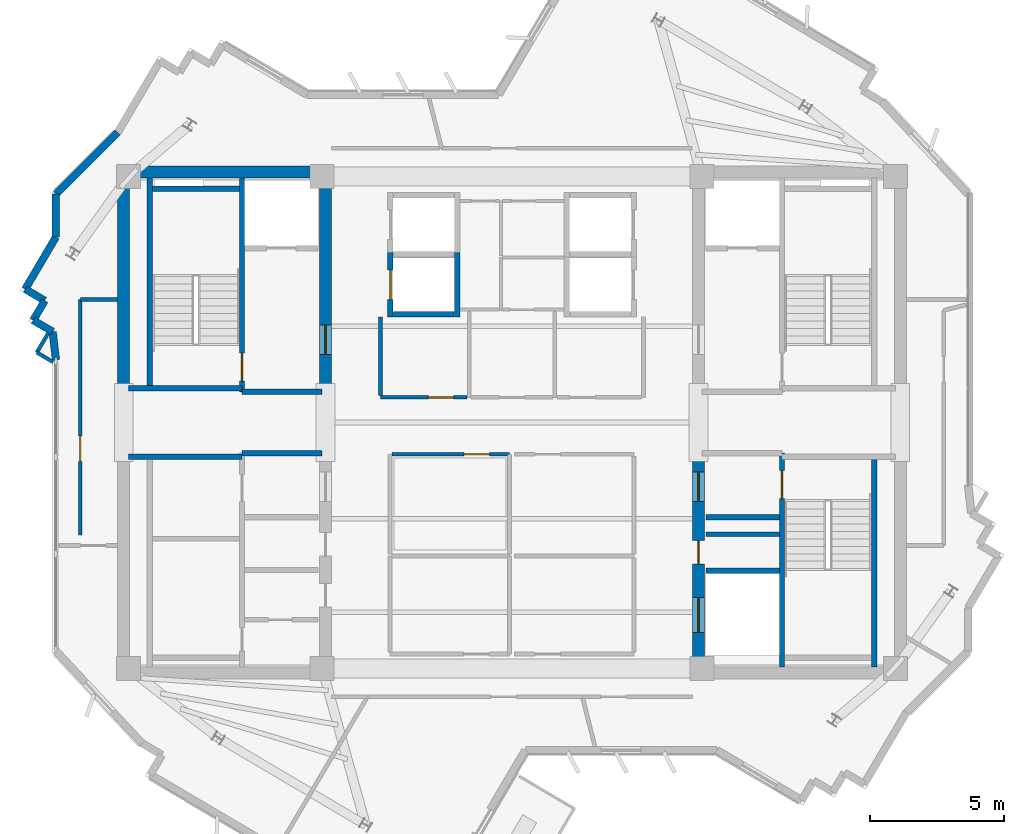
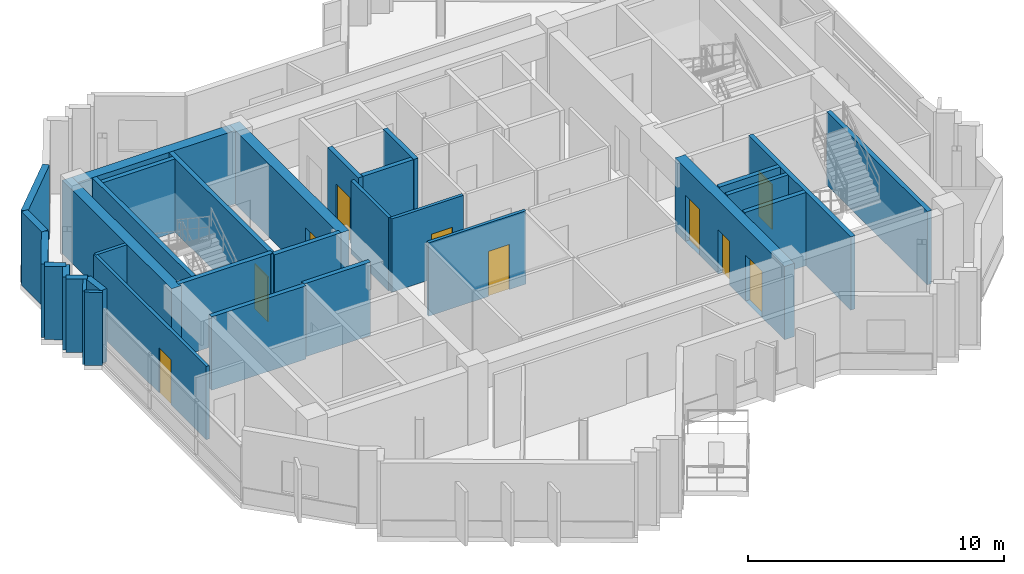
# One storey, part 5 of 10: 33 walls, 10 doors, 10 openings.
"""IFC4 building model written with IfcOpenShell, lengths in metres."""

from ifc_helpers import new_model, si_unit, direction, frame, frame_2d, origin, place, context, subcontext, project, spatial, rectangle, extrude, source, transform, mapped, material, layer, layer_set, type_object, element, fill, save


model = new_model("IFC4")

# Units and contexts
model_context = context("Model", 3, precision=1e-05, world=origin(), true_north=direction((0.0, 1.0)))
body_context = subcontext(model_context, "Body", "Model", "MODEL_VIEW")
ifc_project = project(units=[si_unit("LENGTHUNIT", "METRE"), si_unit("AREAUNIT", "SQUARE_METRE"), si_unit("VOLUMEUNIT", "CUBIC_METRE"), si_unit("PLANEANGLEUNIT", "RADIAN"), si_unit("MASSUNIT", "GRAM", prefix="KILO")], contexts=[model_context])

# Site, building, storey
site_placement = place(None, origin())
site = spatial("IfcSite", under=ifc_project, at=site_placement, CompositionType="ELEMENT")
building_placement = place(site_placement, origin())
building = spatial("IfcBuilding", under=site, at=building_placement, Name="Zahravan Cultural Tower", CompositionType="ELEMENT")
storey_placement = place(building_placement, frame((0.0, 0.0, 346.050048828125)))
storey = spatial("IfcBuildingStorey", under=building, at=storey_placement, Name="L84", CompositionType="ELEMENT", Elevation=346.050048828125)

# Wall, opening, door
ifc_material_1 = material(Name="Concrete C50/60", Category="concrete")
ifc_layer_1 = layer(ifc_material_1, 0.449951171875)
ifc_layer_set_1 = layer_set([ifc_layer_1], Name="Concrete C50/60")
wall_type_1 = type_object("IfcWallType", Name="CW-SHEAR-450-C50", PredefinedType="SHEAR", material=ifc_layer_set_1)
wall_1_placement = place(storey_placement, frame((29.02490234375, 28.050048828125, 0.0), z_axis=(0.0, 0.0, 1.0), x_axis=(0.0, 1.0, 0.0)))
wall_1 = element("IfcWall", 1, at=wall_1_placement, inside=storey, type_object=wall_type_1, Name="L84 Core Shear Wall CW-W-EN-L84", PredefinedType="SHEAR", context=body_context, shape_type="SweptSolid", body=[
    extrude(rectangle(XDim=8.550048828125, YDim=0.449951171875, at=frame_2d((4.27490234375, 0.0))), origin(), (0.0, 0.0, 1.0), 3.5),
])
opening_1_placement = place(wall_1_placement, frame((1.5, 0.0, 0.0)))
opening_1 = element("IfcOpeningElement", 2, at=opening_1_placement, cuts=wall_1, Name="Opening D-L84-06", PredefinedType="OPENING", context=body_context, shape_type="SweptSolid", body=[
    extrude(rectangle(XDim=1.10009765625, YDim=2.199951171875, at=frame_2d((0.550048828125, 1.10009765625))), frame((0.0, 0.23486328125, 0.0), z_axis=(0.0, -1.0, 0.0), x_axis=(1.0, 0.0, 0.0)), (0.0, 0.0, 1.0), 0.469970703125),
])
ifc_material_2 = material(Name="Steel ASTM A572 Grade 50", Category="steel")
door_type_1 = type_object("IfcDoorType", Name="DR-LOBBY-1100", OperationType="NOTDEFINED", PredefinedType="DOOR", material=ifc_material_2)
shared_shape_1 = source(origin(), body_context, "Body", "SweptSolid", [
    extrude(rectangle(XDim=1.10009765625, YDim=2.199951171875, at=frame_2d((0.550048828125, 1.10009765625))), frame((0.0, 0.02490234375, 0.0), z_axis=(0.0, -1.0, 0.0), x_axis=(1.0, 0.0, 0.0)), (0.0, 0.0, 1.0), 0.050048828125),
])
door_1_placement = place(opening_1_placement, origin())
door_1 = element("IfcDoor", 3, at=door_1_placement, inside=storey, type_object=door_type_1, Name="L84 Door D-L84-06", OperationType="SINGLE_SWING_RIGHT", OverallHeight=2.199951171875, OverallWidth=1.10009765625, PredefinedType="DOOR", context=body_context, shape_type="MappedRepresentation", body=[
    mapped(shared_shape_1, transform((0.0, 0.0, 0.0), x_axis=(1.0, 0.0, 0.0), y_axis=(0.0, 1.0, 0.0), z_axis=(0.0, 0.0, 1.0), scale=1.0)),
])
fill(opening_1, door_1)

# Wall, openings, doors
wall_2_placement = place(storey_placement, frame((42.97509765625, 17.39990234375, 0.0), z_axis=(0.0, 0.0, 1.0), x_axis=(0.0, 1.0, 0.0)))
wall_2 = element("IfcWall", 4, at=wall_2_placement, inside=storey, type_object=wall_type_1, Name="L84 Core Shear Wall CW-E-WS-L84", PredefinedType="SHEAR", context=body_context, shape_type="SweptSolid", body=[
    extrude(rectangle(XDim=8.550048828125, YDim=0.449951171875, at=frame_2d((4.27490234375, 0.0))), origin(), (0.0, 0.0, 1.0), 3.5),
])
opening_2_placement = place(wall_2_placement, frame((6.64990234375, 0.0, 0.0)))
opening_2 = element("IfcOpeningElement", 5, at=opening_2_placement, cuts=wall_2, Name="Opening D-L84-09", PredefinedType="OPENING", context=body_context, shape_type="SweptSolid", body=[
    extrude(rectangle(XDim=1.10009765625, YDim=2.199951171875, at=frame_2d((0.550048828125, 1.10009765625))), frame((0.0, 0.23486328125, 0.0), z_axis=(0.0, -1.0, 0.0), x_axis=(1.0, 0.0, 0.0)), (0.0, 0.0, 1.0), 0.469970703125),
])
opening_3_placement = place(wall_2_placement, frame((1.75, 0.0, 0.0)))
opening_3 = element("IfcOpeningElement", 6, at=opening_3_placement, cuts=wall_2, Name="Opening LD-L84-03", PredefinedType="OPENING", context=body_context, shape_type="SweptSolid", body=[
    extrude(rectangle(XDim=1.300048828125, YDim=2.199951171875, at=frame_2d((0.64990234375, 1.10009765625))), frame((0.0, 0.23486328125, 0.0), z_axis=(0.0, -1.0, 0.0), x_axis=(1.0, 0.0, 0.0)), (0.0, 0.0, 1.0), 0.469970703125),
])
opening_4_placement = place(wall_2_placement, frame((4.300048828125, 0.0, 0.0)))
opening_4 = element("IfcOpeningElement", 7, at=opening_4_placement, cuts=wall_2, Name="Opening D-L84-13", PredefinedType="OPENING", context=body_context, shape_type="SweptSolid", body=[
    extrude(rectangle(XDim=0.8798828125, YDim=2.10009765625, at=frame_2d((0.43994140625, 1.050048828125))), frame((0.0, 0.23486328125, 0.0), z_axis=(0.0, -1.0, 0.0), x_axis=(1.0, 0.0, 0.0)), (0.0, 0.0, 1.0), 0.469970703125),
])
door_2_placement = place(opening_2_placement, origin())
door_2 = element("IfcDoor", 8, at=door_2_placement, inside=storey, type_object=door_type_1, Name="L84 Door D-L84-09", OperationType="SINGLE_SWING_LEFT", OverallHeight=2.199951171875, OverallWidth=1.10009765625, PredefinedType="DOOR", context=body_context, shape_type="MappedRepresentation", body=[
    mapped(shared_shape_1, transform((0.0, 0.0, 0.0), x_axis=(1.0, 0.0, 0.0), y_axis=(0.0, 1.0, 0.0), z_axis=(0.0, 0.0, 1.0), scale=1.0)),
])
fill(opening_2, door_2)
door_type_2 = type_object("IfcDoorType", Name="DR-LIFT-1300", OperationType="DOUBLE_DOOR_SLIDING", PredefinedType="DOOR", material=ifc_material_2)
shared_shape_2 = source(origin(), body_context, "Body", "SweptSolid", [
    extrude(rectangle(XDim=1.300048828125, YDim=2.199951171875, at=frame_2d((0.64990234375, 1.10009765625))), frame((0.0, 0.02490234375, 0.0), z_axis=(0.0, -1.0, 0.0), x_axis=(1.0, 0.0, 0.0)), (0.0, 0.0, 1.0), 0.050048828125),
])
door_3_placement = place(opening_3_placement, origin())
door_3 = element("IfcDoor", 9, at=door_3_placement, inside=storey, type_object=door_type_2, Name="L84 Door LD-L84-03", OperationType="DOUBLE_DOOR_SLIDING", OverallHeight=2.199951171875, OverallWidth=1.300048828125, PredefinedType="DOOR", context=body_context, shape_type="MappedRepresentation", body=[
    mapped(shared_shape_2, transform((0.0, 0.0, 0.0), x_axis=(1.0, 0.0, 0.0), y_axis=(0.0, 1.0, 0.0), z_axis=(0.0, 0.0, 1.0), scale=1.0)),
])
fill(opening_3, door_3)
door_type_3 = type_object("IfcDoorType", Name="DR-SVC-880", OperationType="NOTDEFINED", PredefinedType="DOOR", material=ifc_material_2)
shared_shape_3 = source(origin(), body_context, "Body", "SweptSolid", [
    extrude(rectangle(XDim=0.8798828125, YDim=2.10009765625, at=frame_2d((0.43994140625, 1.050048828125))), frame((0.0, 0.02490234375, 0.0), z_axis=(0.0, -1.0, 0.0), x_axis=(1.0, 0.0, 0.0)), (0.0, 0.0, 1.0), 0.050048828125),
])
door_4_placement = place(opening_4_placement, origin())
door_4 = element("IfcDoor", 10, at=door_4_placement, inside=storey, type_object=door_type_3, Name="L84 Door D-L84-13", OperationType="SINGLE_SWING_LEFT", OverallHeight=2.10009765625, OverallWidth=0.8798828125, PredefinedType="DOOR", context=body_context, shape_type="MappedRepresentation", body=[
    mapped(shared_shape_3, transform((0.0, 0.0, 0.0), x_axis=(1.0, 0.0, 0.0), y_axis=(0.0, 1.0, 0.0), z_axis=(0.0, 0.0, 1.0), scale=1.0)),
])
fill(opening_4, door_4)

# Wall, opening, door
ifc_material_3 = material(Name="Gypsum plasterboard partition")
ifc_layer_2 = layer(ifc_material_3, 0.139892578125)
ifc_layer_set_2 = layer_set([ifc_layer_2], Name="Gypsum plasterboard partition")
wall_type_2 = type_object("IfcWallType", Name="W-PART-140", PredefinedType="PARTITIONING", material=ifc_layer_set_2)
wall_3_placement = place(storey_placement, frame((34.324951171875, 27.93994140625, 0.0), z_axis=(0.0, 0.0, 1.0), x_axis=(-1.0, 0.0, 0.0)))
wall_3 = element("IfcWall", 11, at=wall_3_placement, inside=storey, type_object=wall_type_2, Name="L84 Interior Wall 054", PredefinedType="PARTITIONING", context=body_context, shape_type="SweptSolid", body=[
    extrude(rectangle(XDim=3.244873046875, YDim=0.139892578125, at=frame_2d((1.62255859375, 0.0))), origin(), (0.0, 0.0, 1.0), 3.5),
])
opening_5_placement = place(wall_3_placement, frame((0.5048828125, 0.0, 0.0)))
opening_5 = element("IfcOpeningElement", 12, at=opening_5_placement, cuts=wall_3, Name="Opening D-L84-20", PredefinedType="OPENING", context=body_context, shape_type="SweptSolid", body=[
    extrude(rectangle(XDim=0.949951171875, YDim=2.14990234375, at=frame_2d((0.47509765625, 1.074951171875))), frame((0.0, 0.079833984375, 0.0), z_axis=(0.0, -1.0, 0.0), x_axis=(1.0, 0.0, 0.0)), (0.0, 0.0, 1.0), 0.159912109375),
])
ifc_material_4 = material(Name="Anodised bronze-aluminium mullion", Category="aluminium")
door_type_4 = type_object("IfcDoorType", Name="DR-ROOM-950", OperationType="NOTDEFINED", PredefinedType="DOOR", material=ifc_material_4)
shared_shape_4 = source(origin(), body_context, "Body", "SweptSolid", [
    extrude(rectangle(XDim=0.949951171875, YDim=2.14990234375, at=frame_2d((0.47509765625, 1.074951171875))), frame((0.0, 0.02490234375, 0.0), z_axis=(0.0, -1.0, 0.0), x_axis=(1.0, 0.0, 0.0)), (0.0, 0.0, 1.0), 0.050048828125),
])
door_5_placement = place(opening_5_placement, origin())
door_5 = element("IfcDoor", 13, at=door_5_placement, inside=storey, type_object=door_type_4, Name="L84 Door D-L84-20", OperationType="SINGLE_SWING_RIGHT", OverallHeight=2.14990234375, OverallWidth=0.949951171875, PredefinedType="DOOR", context=body_context, shape_type="MappedRepresentation", body=[
    mapped(shared_shape_4, transform((0.0, 0.0, 0.0), x_axis=(1.0, 0.0, 0.0), y_axis=(0.0, 1.0, 0.0), z_axis=(0.0, 0.0, 1.0), scale=1.0)),
])
fill(opening_5, door_5)

wall_4_placement = place(storey_placement, frame((31.514892578125, 25.81005859375, 0.0), z_axis=(0.0, 0.0, 1.0), x_axis=(1.0, 0.0, 0.0)))
wall_4 = element("IfcWall", 14, at=wall_4_placement, inside=storey, type_object=wall_type_2, Name="L84 Interior Wall 066", PredefinedType="PARTITIONING", context=body_context, shape_type="SweptSolid", body=[
    extrude(rectangle(XDim=4.39501953125, YDim=0.139892578125, at=frame_2d((2.197509765625, 0.0))), origin(), (0.0, 0.0, 1.0), 3.5),
])
opening_6_placement = place(wall_4_placement, frame((2.68701171875, 0.0, 0.0)))
opening_6 = element("IfcOpeningElement", 15, at=opening_6_placement, cuts=wall_4, Name="Opening D-L84-15", PredefinedType="OPENING", context=body_context, shape_type="SweptSolid", body=[
    extrude(rectangle(XDim=0.949951171875, YDim=2.14990234375, at=frame_2d((0.47509765625, 1.074951171875))), frame((0.0, 0.079833984375, 0.0), z_axis=(0.0, -1.0, 0.0), x_axis=(1.0, 0.0, 0.0)), (0.0, 0.0, 1.0), 0.159912109375),
])
door_6_placement = place(opening_6_placement, origin())
door_6 = element("IfcDoor", 16, at=door_6_placement, inside=storey, type_object=door_type_4, Name="L84 Door D-L84-15", OperationType="SINGLE_SWING_LEFT", OverallHeight=2.14990234375, OverallWidth=0.949951171875, PredefinedType="DOOR", context=body_context, shape_type="MappedRepresentation", body=[
    mapped(shared_shape_4, transform((0.0, 0.0, 0.0), x_axis=(1.0, 0.0, 0.0), y_axis=(0.0, 1.0, 0.0), z_axis=(0.0, 0.0, 1.0), scale=1.0)),
])
fill(opening_6, door_6)

wall_5_placement = place(storey_placement, frame((19.8525390625, 31.59765625, 0.0), z_axis=(0.0, 0.0, 1.0), x_axis=(-0.00027740789, -0.999999961522, 0.0)))
wall_5 = element("IfcWall", 17, at=wall_5_placement, inside=storey, type_object=wall_type_2, Name="L84 Interior Wall 083", PredefinedType="PARTITIONING", context=body_context, shape_type="SweptSolid", body=[
    extrude(rectangle(XDim=8.80078125, YDim=0.139892578125, at=frame_2d((4.400390625, 0.0))), origin(), (0.0, 0.0, 1.0), 3.5),
])
opening_7_placement = place(wall_5_placement, frame((5.10302734375, 0.0, 0.0)))
opening_7 = element("IfcOpeningElement", 18, at=opening_7_placement, cuts=wall_5, Name="Opening D-L84-24", PredefinedType="OPENING", context=body_context, shape_type="SweptSolid", body=[
    extrude(rectangle(XDim=0.949951171875, YDim=2.14990234375, at=frame_2d((0.47509765625, 1.074951171875))), frame((0.0, 0.079833984375, 0.0), z_axis=(0.0, -1.0, 0.0), x_axis=(1.0, 0.0, 0.0)), (0.0, 0.0, 1.0), 0.159912109375),
])
door_7_placement = place(opening_7_placement, origin())
door_7 = element("IfcDoor", 19, at=door_7_placement, inside=storey, type_object=door_type_4, Name="L84 Door D-L84-24", OperationType="SINGLE_SWING_RIGHT", OverallHeight=2.14990234375, OverallWidth=0.949951171875, PredefinedType="DOOR", context=body_context, shape_type="MappedRepresentation", body=[
    mapped(shared_shape_4, transform((0.0, 0.0, 0.0), x_axis=(1.0, 0.0, 0.0), y_axis=(0.0, 1.0, 0.0), z_axis=(0.0, 0.0, 1.0), scale=1.0)),
])
fill(opening_7, door_7)

ifc_material_5 = material(Name="Concrete C45/55", Category="concrete")
ifc_layer_3 = layer(ifc_material_5, 0.199951171875)
ifc_layer_set_3 = layer_set([ifc_layer_3], Name="Concrete C45/55")
wall_type_3 = type_object("IfcWallType", Name="W-SHAFT-200", PredefinedType="SOLIDWALL", material=ifc_layer_set_3)
wall_6_placement = place(storey_placement, frame((25.89990234375, 28.14990234375, 0.0), z_axis=(0.0, 0.0, 1.0), x_axis=(0.0, 1.0, 0.0)))
wall_6 = element("IfcWall", 20, at=wall_6_placement, inside=storey, type_object=wall_type_3, Name="L84 Interior Wall 006", PredefinedType="SOLIDWALL", context=body_context, shape_type="SweptSolid", body=[
    extrude(rectangle(XDim=8.0, YDim=0.199951171875, at=frame_2d((4.0, 0.0))), origin(), (0.0, 0.0, 1.0), 3.5),
])
opening_8_placement = place(wall_6_placement, frame((0.39990234375, 0.0, 0.0)))
opening_8 = element("IfcOpeningElement", 21, at=opening_8_placement, cuts=wall_6, Name="Opening D-L84-01", PredefinedType="OPENING", context=body_context, shape_type="SweptSolid", body=[
    extrude(rectangle(XDim=1.050048828125, YDim=2.14990234375, at=frame_2d((0.52490234375, 1.074951171875))), frame((0.0, 0.10986328125, 0.0), z_axis=(0.0, -1.0, 0.0), x_axis=(1.0, 0.0, 0.0)), (0.0, 0.0, 1.0), 0.219970703125),
])
door_type_5 = type_object("IfcDoorType", Name="DR-STAIR-1050", OperationType="NOTDEFINED", PredefinedType="DOOR", material=ifc_material_2)
shared_shape_5 = source(origin(), body_context, "Body", "SweptSolid", [
    extrude(rectangle(XDim=1.050048828125, YDim=2.14990234375, at=frame_2d((0.52490234375, 1.074951171875))), frame((0.0, 0.02490234375, 0.0), z_axis=(0.0, -1.0, 0.0), x_axis=(1.0, 0.0, 0.0)), (0.0, 0.0, 1.0), 0.050048828125),
])
door_8_placement = place(opening_8_placement, origin())
door_8 = element("IfcDoor", 22, at=door_8_placement, inside=storey, type_object=door_type_5, Name="L84 Door D-L84-01", OperationType="SINGLE_SWING_LEFT", OverallHeight=2.14990234375, OverallWidth=1.050048828125, PredefinedType="DOOR", context=body_context, shape_type="MappedRepresentation", body=[
    mapped(shared_shape_5, transform((0.0, 0.0, 0.0), x_axis=(1.0, 0.0, 0.0), y_axis=(0.0, 1.0, 0.0), z_axis=(0.0, 0.0, 1.0), scale=1.0)),
])
fill(opening_8, door_8)

wall_7_placement = place(storey_placement, frame((46.10009765625, 17.85009765625, 0.0), z_axis=(0.0, 0.0, 1.0), x_axis=(0.0, 1.0, 0.0)))
wall_7 = element("IfcWall", 23, at=wall_7_placement, inside=storey, type_object=wall_type_3, Name="L84 Interior Wall 007", PredefinedType="SOLIDWALL", context=body_context, shape_type="SweptSolid", body=[
    extrude(rectangle(XDim=8.0, YDim=0.199951171875, at=frame_2d((4.0, 0.0))), origin(), (0.0, 0.0, 1.0), 3.5),
])
opening_9_placement = place(wall_7_placement, frame((6.300048828125, 0.0, 0.0)))
opening_9 = element("IfcOpeningElement", 24, at=opening_9_placement, cuts=wall_7, Name="Opening D-L84-03", PredefinedType="OPENING", context=body_context, shape_type="SweptSolid", body=[
    extrude(rectangle(XDim=1.050048828125, YDim=2.14990234375, at=frame_2d((0.52490234375, 1.074951171875))), frame((0.0, 0.10986328125, 0.0), z_axis=(0.0, -1.0, 0.0), x_axis=(1.0, 0.0, 0.0)), (0.0, 0.0, 1.0), 0.219970703125),
])
door_9_placement = place(opening_9_placement, origin())
door_9 = element("IfcDoor", 25, at=door_9_placement, inside=storey, type_object=door_type_5, Name="L84 Door D-L84-03", OperationType="SINGLE_SWING_LEFT", OverallHeight=2.14990234375, OverallWidth=1.050048828125, PredefinedType="DOOR", context=body_context, shape_type="MappedRepresentation", body=[
    mapped(shared_shape_5, transform((0.0, 0.0, 0.0), x_axis=(1.0, 0.0, 0.0), y_axis=(0.0, 1.0, 0.0), z_axis=(0.0, 0.0, 1.0), scale=1.0)),
])
fill(opening_9, door_9)

wall_8_placement = place(storey_placement, frame((31.449951171875, 30.949951171875, 0.0), z_axis=(0.0, 0.0, 1.0), x_axis=(0.0, 1.0, 0.0)))
wall_8 = element("IfcWall", 26, at=wall_8_placement, inside=storey, type_object=wall_type_3, Name="L84 Interior Wall 034", PredefinedType="SOLIDWALL", context=body_context, shape_type="SweptSolid", body=[
    extrude(rectangle(XDim=2.400146484375, YDim=0.199951171875, at=frame_2d((1.2001953125, 0.0))), origin(), (0.0, 0.0, 1.0), 3.5),
])
opening_10_placement = place(wall_8_placement, frame((0.64990234375, 0.0, 0.0)))
opening_10 = element("IfcOpeningElement", 27, at=opening_10_placement, cuts=wall_8, Name="Opening LD-L84-05", PredefinedType="OPENING", context=body_context, shape_type="SweptSolid", body=[
    extrude(rectangle(XDim=1.10009765625, YDim=2.14990234375, at=frame_2d((0.550048828125, 1.074951171875))), frame((0.0, 0.10986328125, 0.0), z_axis=(0.0, -1.0, 0.0), x_axis=(1.0, 0.0, 0.0)), (0.0, 0.0, 1.0), 0.219970703125),
])
door_type_6 = type_object("IfcDoorType", Name="DR-LIFT-1100", OperationType="DOUBLE_DOOR_SLIDING", PredefinedType="DOOR", material=ifc_material_2)
shared_shape_6 = source(origin(), body_context, "Body", "SweptSolid", [
    extrude(rectangle(XDim=1.10009765625, YDim=2.14990234375, at=frame_2d((0.550048828125, 1.074951171875))), frame((0.0, 0.02490234375, 0.0), z_axis=(0.0, -1.0, 0.0), x_axis=(1.0, 0.0, 0.0)), (0.0, 0.0, 1.0), 0.050048828125),
])
door_10_placement = place(opening_10_placement, origin())
door_10 = element("IfcDoor", 28, at=door_10_placement, inside=storey, type_object=door_type_6, Name="L84 Door LD-L84-05", OperationType="DOUBLE_DOOR_SLIDING", OverallHeight=2.14990234375, OverallWidth=1.10009765625, PredefinedType="DOOR", context=body_context, shape_type="MappedRepresentation", body=[
    mapped(shared_shape_6, transform((0.0, 0.0, 0.0), x_axis=(1.0, 0.0, 0.0), y_axis=(0.0, 1.0, 0.0), z_axis=(0.0, 0.0, 1.0), scale=1.0)),
])
fill(opening_10, door_10)

# Walls
shared_shape_7 = source(origin(), body_context, "Body", "SweptSolid", [
    extrude(rectangle(XDim=8.550048828125, YDim=0.449951171875, at=frame_2d((4.27490234375, 0.0))), origin(), (0.0, 0.0, 1.0), 3.5),
])
wall_9_placement = place(storey_placement, frame((21.47509765625, 28.050048828125, 0.0), z_axis=(0.0, 0.0, 1.0), x_axis=(0.0, 1.0, 0.0)))
element("IfcWall", 29, at=wall_9_placement, inside=storey, type_object=wall_type_1, Name="L84 Core Shear Wall CW-W-WN-L84", PredefinedType="SHEAR", context=body_context, shape_type="MappedRepresentation", body=[
    mapped(shared_shape_7, transform((0.0, 0.0, 0.0), x_axis=(1.0, 0.0, 0.0), y_axis=(0.0, 1.0, 0.0), z_axis=(0.0, 0.0, 1.0), scale=1.0)),
])
shared_shape_8 = source(origin(), body_context, "Body", "SweptSolid", [
    extrude(rectangle(XDim=7.10009765625, YDim=0.449951171875, at=frame_2d((3.550048828125, 0.0))), origin(), (0.0, 0.0, 1.0), 3.5),
])
wall_10_placement = place(storey_placement, frame((21.699951171875, 36.375, 0.0), z_axis=(0.0, 0.0, 1.0), x_axis=(1.0, 0.0, 0.0)))
element("IfcWall", 30, at=wall_10_placement, inside=storey, type_object=wall_type_1, Name="L84 Core Shear Wall CW-W-N-L84", PredefinedType="SHEAR", context=body_context, shape_type="MappedRepresentation", body=[
    mapped(shared_shape_8, transform((0.0, 0.0, 0.0), x_axis=(1.0, 0.0, 0.0), y_axis=(0.0, 1.0, 0.0), z_axis=(0.0, 0.0, 1.0), scale=1.0)),
])
ifc_material_6 = material(Name="Precast concrete C40/50", Category="concrete")
ifc_layer_4 = layer(ifc_material_6, 0.280029296875)
ifc_layer_set_4 = layer_set([ifc_layer_4], Name="Precast concrete C40/50")
wall_type_4 = type_object("IfcWallType", Name="EW-TC-280", PredefinedType="SOLIDWALL", material=ifc_layer_set_4)
shared_shape_9 = source(origin(), body_context, "Body", "SweptSolid", [
    extrude(rectangle(XDim=0.85009765625, YDim=0.280029296875, at=frame_2d((0.425048828125, 0.0))), origin(), (0.0, 0.0, 1.0), 3.5),
])
for number, where, z_axis, x_axis, name in (
    (31, (18.820068359375, 30.3935546875, 0.0), (0.0, 0.0, 1.0), (-0.861320788154, 0.508061511919, 0.0), "L84 Exterior Masonry Frame Wall 34"),
    (32, (18.087890625, 30.825439453125, 0.0), (0.0, 0.0, 1.0), (0.508274533332, 0.861195099131, 0.0), "L84 Exterior Masonry Frame Wall 35"),
):
    element("IfcWall", number, at=place(storey_placement, frame(where, z_axis=z_axis, x_axis=x_axis)), inside=storey, type_object=wall_type_4, Name=name, PredefinedType="SOLIDWALL", context=body_context, shape_type="MappedRepresentation", body=[
        mapped(shared_shape_9, transform((0.0, 0.0, 0.0), x_axis=(1.0, 0.0, 0.0), y_axis=(0.0, 1.0, 0.0), z_axis=(0.0, 0.0, 1.0), scale=1.0)),
    ])
shared_shape_10 = source(origin(), body_context, "Body", "SweptSolid", [
    extrude(rectangle(XDim=0.849853515625, YDim=0.280029296875, at=frame_2d((0.4248046875, 0.0))), origin(), (0.0, 0.0, 1.0), 3.5),
])
wall_11_placement = place(storey_placement, frame((18.52001953125, 31.5576171875, 0.0), z_axis=(0.0, 0.0, 1.0), x_axis=(-0.861246626019, 0.508187218622, 0.0)))
element("IfcWall", 33, at=wall_11_placement, inside=storey, type_object=wall_type_4, Name="L84 Exterior Masonry Frame Wall 36", PredefinedType="SOLIDWALL", context=body_context, shape_type="MappedRepresentation", body=[
    mapped(shared_shape_10, transform((0.0, 0.0, 0.0), x_axis=(1.0, 0.0, 0.0), y_axis=(0.0, 1.0, 0.0), z_axis=(0.0, 0.0, 1.0), scale=1.0)),
])
shared_shape_11 = source(origin(), body_context, "Body", "SweptSolid", [
    extrude(rectangle(XDim=1.064697265625, YDim=0.280029296875, at=frame_2d((0.5322265625, 0.0))), origin(), (0.0, 0.0, 1.0), 3.5),
])
wall_12_placement = place(storey_placement, frame((18.93994140625, 29.335693359375, 0.0), z_axis=(0.0, 0.0, 1.0), x_axis=(-0.112595815397, 0.993640871923, 0.0)))
element("IfcWall", 34, at=wall_12_placement, inside=storey, type_object=wall_type_4, Name="L84 Exterior Masonry Frame Wall 33", PredefinedType="SOLIDWALL", context=body_context, shape_type="MappedRepresentation", body=[
    mapped(shared_shape_11, transform((0.0, 0.0, 0.0), x_axis=(1.0, 0.0, 0.0), y_axis=(0.0, 1.0, 0.0), z_axis=(0.0, 0.0, 1.0), scale=1.0)),
])
shared_shape_12 = source(origin(), body_context, "Body", "SweptSolid", [
    extrude(rectangle(XDim=2.266357421875, YDim=0.280029296875, at=frame_2d((1.13330078125, 0.0))), origin(), (0.0, 0.0, 1.0), 3.5),
])
wall_13_placement = place(storey_placement, frame((17.7880859375, 31.989501953125, 0.0), z_axis=(0.0, 0.0, 1.0), x_axis=(0.508224770074, 0.861224467304, 0.0)))
element("IfcWall", 35, at=wall_13_placement, inside=storey, type_object=wall_type_4, Name="L84 Exterior Masonry Frame Wall 37", PredefinedType="SOLIDWALL", context=body_context, shape_type="MappedRepresentation", body=[
    mapped(shared_shape_12, transform((0.0, 0.0, 0.0), x_axis=(1.0, 0.0, 0.0), y_axis=(0.0, 1.0, 0.0), z_axis=(0.0, 0.0, 1.0), scale=1.0)),
])
shared_shape_13 = source(origin(), body_context, "Body", "SweptSolid", [
    extrude(rectangle(XDim=1.6005859375, YDim=0.280029296875, at=frame_2d((0.80029296875, 0.0))), origin(), (0.0, 0.0, 1.0), 3.5),
])
wall_14_placement = place(storey_placement, frame((18.93994140625, 33.94140625, 0.0), z_axis=(0.0, 0.0, 1.0), x_axis=(0.0, 1.0, 0.0)))
element("IfcWall", 36, at=wall_14_placement, inside=storey, type_object=wall_type_4, Name="L84 Exterior Masonry Frame Wall 38", PredefinedType="SOLIDWALL", context=body_context, shape_type="MappedRepresentation", body=[
    mapped(shared_shape_13, transform((0.0, 0.0, 0.0), x_axis=(1.0, 0.0, 0.0), y_axis=(0.0, 1.0, 0.0), z_axis=(0.0, 0.0, 1.0), scale=1.0)),
])
shared_shape_14 = source(origin(), body_context, "Body", "SweptSolid", [
    extrude(rectangle(XDim=3.2607421875, YDim=0.280029296875, at=frame_2d((1.63037109375, 0.0))), origin(), (0.0, 0.0, 1.0), 3.5),
])
wall_15_placement = place(storey_placement, frame((18.93994140625, 35.5419921875, 0.0), z_axis=(0.0, 0.0, 1.0), x_axis=(0.707106781187, 0.707106781187, 0.0)))
element("IfcWall", 37, at=wall_15_placement, inside=storey, type_object=wall_type_4, Name="L84 Exterior Masonry Frame Wall 39", PredefinedType="SOLIDWALL", context=body_context, shape_type="MappedRepresentation", body=[
    mapped(shared_shape_14, transform((0.0, 0.0, 0.0), x_axis=(1.0, 0.0, 0.0), y_axis=(0.0, 1.0, 0.0), z_axis=(0.0, 0.0, 1.0), scale=1.0)),
])
shared_shape_15 = source(origin(), body_context, "Body", "SweptSolid", [
    extrude(rectangle(XDim=7.869873046875, YDim=0.199951171875, at=frame_2d((3.93505859375, 0.0))), origin(), (0.0, 0.0, 1.0), 3.5),
])
for number, where, z_axis, x_axis, name in (
    (38, (22.449951171875, 28.280029296875, 0.0), (0.0, 0.0, 1.0), (0.0, 1.0, 0.0), "L84 Interior Wall 002"),
    (39, (49.550048828125, 17.85009765625, 0.0), (0.0, 0.0, 1.0), (0.0, 1.0, 0.0), "L84 Interior Wall 003"),
):
    element("IfcWall", number, at=place(storey_placement, frame(where, z_axis=z_axis, x_axis=x_axis)), inside=storey, type_object=wall_type_3, Name=name, PredefinedType="SOLIDWALL", context=body_context, shape_type="MappedRepresentation", body=[
        mapped(shared_shape_15, transform((0.0, 0.0, 0.0), x_axis=(1.0, 0.0, 0.0), y_axis=(0.0, 1.0, 0.0), z_axis=(0.0, 0.0, 1.0), scale=1.0)),
    ])
shared_shape_16 = source(origin(), body_context, "Body", "SweptSolid", [
    extrude(rectangle(XDim=4.25, YDim=0.199951171875, at=frame_2d((2.125, 0.0))), origin(), (0.0, 0.0, 1.0), 3.5),
])
for number, where, z_axis, x_axis, name in (
    (40, (21.64990234375, 25.715087890625, 0.0), (0.0, 0.0, 1.0), (1.0, 0.0, 0.0), "L84 Interior Wall 009"),
    (41, (21.64990234375, 28.284912109375, 0.0), (0.0, 0.0, 1.0), (1.0, 0.0, 0.0), "L84 Interior Wall 011"),
):
    element("IfcWall", number, at=place(storey_placement, frame(where, z_axis=z_axis, x_axis=x_axis)), inside=storey, type_object=wall_type_3, Name=name, PredefinedType="SOLIDWALL", context=body_context, shape_type="MappedRepresentation", body=[
        mapped(shared_shape_16, transform((0.0, 0.0, 0.0), x_axis=(1.0, 0.0, 0.0), y_axis=(0.0, 1.0, 0.0), z_axis=(0.0, 0.0, 1.0), scale=1.0)),
    ])
shared_shape_17 = source(origin(), body_context, "Body", "SweptSolid", [
    extrude(rectangle(XDim=3.0, YDim=0.199951171875, at=frame_2d((1.5, 0.0))), origin(), (0.0, 0.0, 1.0), 3.5),
])
for number, where, z_axis, x_axis, name in (
    (42, (25.89990234375, 25.85009765625, 0.0), (0.0, 0.0, 1.0), (1.0, 0.0, 0.0), "L84 Interior Wall 010"),
    (43, (25.89990234375, 28.14990234375, 0.0), (0.0, 0.0, 1.0), (1.0, 0.0, 0.0), "L84 Interior Wall 012"),
):
    element("IfcWall", number, at=place(storey_placement, frame(where, z_axis=z_axis, x_axis=x_axis)), inside=storey, type_object=wall_type_3, Name=name, PredefinedType="SOLIDWALL", context=body_context, shape_type="MappedRepresentation", body=[
        mapped(shared_shape_17, transform((0.0, 0.0, 0.0), x_axis=(1.0, 0.0, 0.0), y_axis=(0.0, 1.0, 0.0), z_axis=(0.0, 0.0, 1.0), scale=1.0)),
    ])
shared_shape_18 = source(origin(), body_context, "Body", "SweptSolid", [
    extrude(rectangle(XDim=3.25, YDim=0.199951171875, at=frame_2d((1.625, 0.0))), origin(), (0.0, 0.0, 1.0), 3.5),
])
wall_16_placement = place(storey_placement, frame((22.550048828125, 35.75, 0.0), z_axis=(0.0, 0.0, 1.0), x_axis=(1.0, 0.0, 0.0)))
element("IfcWall", 44, at=wall_16_placement, inside=storey, type_object=wall_type_3, Name="L84 Interior Wall 017", PredefinedType="SOLIDWALL", context=body_context, shape_type="MappedRepresentation", body=[
    mapped(shared_shape_18, transform((0.0, 0.0, 0.0), x_axis=(1.0, 0.0, 0.0), y_axis=(0.0, 1.0, 0.0), z_axis=(0.0, 0.0, 1.0), scale=1.0)),
])
shared_shape_19 = source(origin(), body_context, "Body", "SweptSolid", [
    extrude(rectangle(XDim=2.75, YDim=0.199951171875, at=frame_2d((1.375, 0.0))), origin(), (0.0, 0.0, 1.0), 3.5),
])
for number, where, z_axis, x_axis, name in (
    (45, (43.25, 23.449951171875, 0.0), (0.0, 0.0, 1.0), (1.0, 0.0, 0.0), "L84 Interior Wall 025"),
    (46, (43.25, 21.449951171875, 0.0), (0.0, 0.0, 1.0), (1.0, 0.0, 0.0), "L84 Interior Wall 026"),
):
    element("IfcWall", number, at=place(storey_placement, frame(where, z_axis=z_axis, x_axis=x_axis)), inside=storey, type_object=wall_type_3, Name=name, PredefinedType="SOLIDWALL", context=body_context, shape_type="MappedRepresentation", body=[
        mapped(shared_shape_19, transform((0.0, 0.0, 0.0), x_axis=(1.0, 0.0, 0.0), y_axis=(0.0, 1.0, 0.0), z_axis=(0.0, 0.0, 1.0), scale=1.0)),
    ])
ifc_layer_5 = layer(ifc_material_3, 0.179931640625)
ifc_layer_set_5 = layer_set([ifc_layer_5], Name="Gypsum plasterboard partition")
wall_type_5 = type_object("IfcWallType", Name="W-COMP-180", PredefinedType="PARTITIONING", material=ifc_layer_set_5)
shared_shape_20 = source(origin(), body_context, "Body", "SweptSolid", [
    extrude(rectangle(XDim=2.75, YDim=0.179931640625, at=frame_2d((1.375, 0.0))), origin(), (0.0, 0.0, 1.0), 3.5),
])
wall_17_placement = place(storey_placement, frame((43.25, 22.820068359375, 0.0), z_axis=(0.0, 0.0, 1.0), x_axis=(1.0, 0.0, 0.0)))
element("IfcWall", 47, at=wall_17_placement, inside=storey, type_object=wall_type_5, Name="L84 Interior Wall 029", PredefinedType="PARTITIONING", context=body_context, shape_type="MappedRepresentation", body=[
    mapped(shared_shape_20, transform((0.0, 0.0, 0.0), x_axis=(1.0, 0.0, 0.0), y_axis=(0.0, 1.0, 0.0), z_axis=(0.0, 0.0, 1.0), scale=1.0)),
])
shared_shape_21 = source(origin(), body_context, "Body", "SweptSolid", [
    extrude(rectangle(XDim=2.400146484375, YDim=0.199951171875, at=frame_2d((1.2001953125, 0.0))), origin(), (0.0, 0.0, 1.0), 3.5),
])
wall_18_placement = place(storey_placement, frame((33.949951171875, 30.949951171875, 0.0), z_axis=(0.0, 0.0, 1.0), x_axis=(0.0, 1.0, 0.0)))
element("IfcWall", 48, at=wall_18_placement, inside=storey, type_object=wall_type_3, Name="L84 Interior Wall 035", PredefinedType="SOLIDWALL", context=body_context, shape_type="MappedRepresentation", body=[
    mapped(shared_shape_21, transform((0.0, 0.0, 0.0), x_axis=(1.0, 0.0, 0.0), y_axis=(0.0, 1.0, 0.0), z_axis=(0.0, 0.0, 1.0), scale=1.0)),
])
shared_shape_22 = source(origin(), body_context, "Body", "SweptSolid", [
    extrude(rectangle(XDim=2.260009765625, YDim=0.199951171875, at=frame_2d((1.1298828125, 0.0))), origin(), (0.0, 0.0, 1.0), 3.5),
])
wall_19_placement = place(storey_placement, frame((31.570068359375, 31.050048828125, 0.0), z_axis=(0.0, 0.0, 1.0), x_axis=(1.0, 0.0, 0.0)))
element("IfcWall", 49, at=wall_19_placement, inside=storey, type_object=wall_type_3, Name="L84 Interior Wall 036", PredefinedType="SOLIDWALL", context=body_context, shape_type="MappedRepresentation", body=[
    mapped(shared_shape_22, transform((0.0, 0.0, 0.0), x_axis=(1.0, 0.0, 0.0), y_axis=(0.0, 1.0, 0.0), z_axis=(0.0, 0.0, 1.0), scale=1.0)),
])
shared_shape_23 = source(origin(), body_context, "Body", "SweptSolid", [
    extrude(rectangle(XDim=2.93505859375, YDim=0.139892578125, at=frame_2d((1.467529296875, 0.0))), origin(), (0.0, 0.0, 1.0), 3.5),
])
wall_20_placement = place(storey_placement, frame((31.080078125, 28.014892578125, 0.0), z_axis=(0.0, 0.0, 1.0), x_axis=(0.0, 1.0, 0.0)))
element("IfcWall", 50, at=wall_20_placement, inside=storey, type_object=wall_type_2, Name="L84 Interior Wall 055", PredefinedType="PARTITIONING", context=body_context, shape_type="MappedRepresentation", body=[
    mapped(shared_shape_23, transform((0.0, 0.0, 0.0), x_axis=(1.0, 0.0, 0.0), y_axis=(0.0, 1.0, 0.0), z_axis=(0.0, 0.0, 1.0), scale=1.0)),
])
shared_shape_24 = source(origin(), body_context, "Body", "SweptSolid", [
    extrude(rectangle(XDim=1.392578125, YDim=0.139892578125, at=frame_2d((0.6962890625, 0.0))), origin(), (0.0, 0.0, 1.0), 3.5),
])
wall_21_placement = place(storey_placement, frame((21.2451171875, 31.599853515625, 0.0), z_axis=(0.0, 0.0, 1.0), x_axis=(-0.999998755213, -0.001577838148, 0.0)))
element("IfcWall", 51, at=wall_21_placement, inside=storey, type_object=wall_type_2, Name="L84 Interior Wall 082", PredefinedType="PARTITIONING", context=body_context, shape_type="MappedRepresentation", body=[
    mapped(shared_shape_24, transform((0.0, 0.0, 0.0), x_axis=(1.0, 0.0, 0.0), y_axis=(0.0, 1.0, 0.0), z_axis=(0.0, 0.0, 1.0), scale=1.0)),
])
shared_shape_25 = source(origin(), body_context, "Body", "SweptSolid", [
    extrude(rectangle(XDim=0.824951171875, YDim=0.139892578125, at=frame_2d((0.41259765625, 0.0))), origin(), (0.0, 0.0, 1.0), 3.5),
])
wall_22_placement = place(storey_placement, frame((18.223876953125, 29.618896484375, 0.0), z_axis=(0.0, 0.0, 1.0), x_axis=(0.507472658058, 0.861667860213, 0.0)))
element("IfcWall", 52, at=wall_22_placement, inside=storey, type_object=wall_type_2, Name="L84 Interior Wall 085", PredefinedType="PARTITIONING", context=body_context, shape_type="MappedRepresentation", body=[
    mapped(shared_shape_25, transform((0.0, 0.0, 0.0), x_axis=(1.0, 0.0, 0.0), y_axis=(0.0, 1.0, 0.0), z_axis=(0.0, 0.0, 1.0), scale=1.0)),
])
shared_shape_26 = source(origin(), body_context, "Body", "SweptSolid", [
    extrude(rectangle(XDim=0.703125, YDim=0.139892578125, at=frame_2d((0.3515625, 0.0))), origin(), (0.0, 0.0, 1.0), 3.5),
])
wall_23_placement = place(storey_placement, frame((18.829345703125, 29.26123046875, 0.0), z_axis=(0.0, 0.0, 1.0), x_axis=(-0.860995636403, 0.508612341666, 0.0)))
element("IfcWall", 53, at=wall_23_placement, inside=storey, type_object=wall_type_2, Name="L84 Interior Wall 084", PredefinedType="PARTITIONING", context=body_context, shape_type="MappedRepresentation", body=[
    mapped(shared_shape_26, transform((0.0, 0.0, 0.0), x_axis=(1.0, 0.0, 0.0), y_axis=(0.0, 1.0, 0.0), z_axis=(0.0, 0.0, 1.0), scale=1.0)),
])

save(model, "model.ifc")
